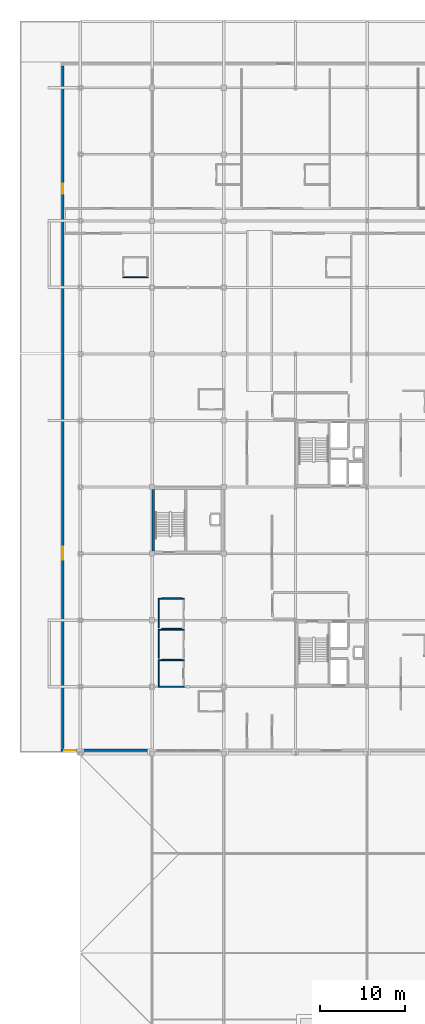
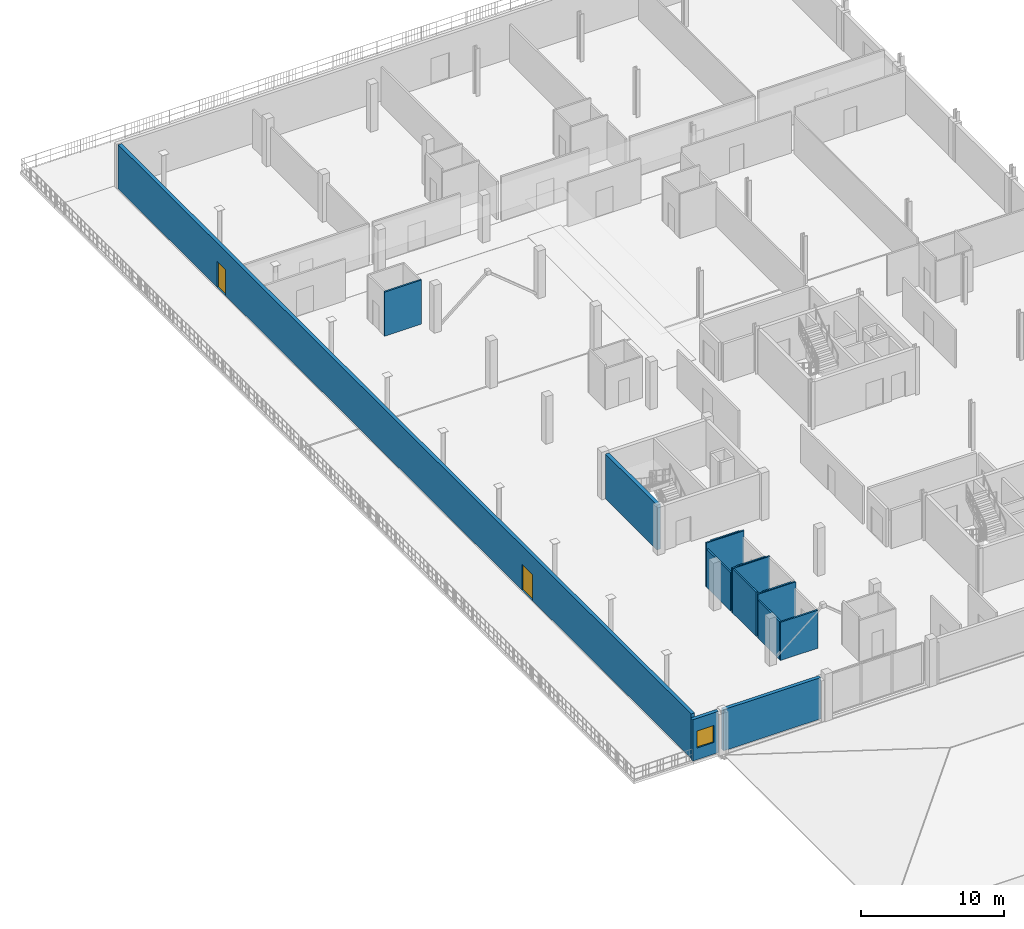
# One storey, part 14 of 25: 15 walls, 2 doors, 1 window, 3 openings.
"""IFC4 building model written with IfcOpenShell, lengths in metres."""

import ifcopenshell
import ifcopenshell.guid

model = None  # the IFC model being written
_history = None  # IfcOwnerHistory: only IFC2X3 demands one
_inside = {}  # id of a spatial element -> (the spatial element, [elements in it])
_under = {}  # id of a project, library or spatial element -> (it, [spatial elements below it])
_declared = {}  # id of a project -> (the project, [libraries it declares])
_typed = {}  # id of a type object -> (the type object, [elements of that type])
_made_of = {}  # id of a material, layer set ... -> (it, [elements and type objects made of it])


def new_model(schema):
    """Start an empty IFC model of exactly this schema.

    Asked for "IFC4X3", IfcOpenShell would pick the latest addendum, in which some entities
    have other attributes; the version numbers below select the first issue.
    IFC2X3 requires an IfcOwnerHistory on every rooted entity: one is made here for all.
    """
    global model, _history
    if schema == "IFC4X3":
        model = ifcopenshell.file(schema_version=(4, 3, 0, 0))
    else:
        model = ifcopenshell.file(schema=schema)
    _inside.clear()
    _under.clear()
    _declared.clear()
    _typed.clear()
    _made_of.clear()
    _history = None
    if model.schema == "IFC2X3":
        org = make("IfcOrganization", Name="unknown")
        user = make(
            "IfcPersonAndOrganization",
            ThePerson=make("IfcPerson", FamilyName="unknown"),
            TheOrganization=org,
        )
        app = make(
            "IfcApplication",
            ApplicationDeveloper=org,
            Version="unknown",
            ApplicationFullName="unknown",
            ApplicationIdentifier="unknown",
        )
        _history = make(
            "IfcOwnerHistory",
            OwningUser=user,
            OwningApplication=app,
            ChangeAction="ADDED",
            CreationDate=0,
        )
    return model


def make(cls, **values):
    """One entity of the class cls with the attributes given. An attribute that is None is left unset."""
    return model.create_entity(
        cls, **{name: value for name, value in values.items() if value is not None}
    )


def rooted(cls, **values):
    """An entity with a GlobalId (a new one), such as an element, a storey or a relation."""
    return make(cls, GlobalId=ifcopenshell.guid.new(), OwnerHistory=_history, **values)


def si_unit(unit_type, name, prefix=None):
    """IfcSIUnit, for example si_unit("LENGTHUNIT", "METRE", prefix="MILLI")."""
    return make("IfcSIUnit", UnitType=unit_type, Prefix=prefix, Name=name)


def assignment(units):
    """IfcUnitAssignment: the units of a project."""
    return None if units is None else make("IfcUnitAssignment", Units=units)


def point(xyz):
    """IfcCartesianPoint."""
    return None if xyz is None else make("IfcCartesianPoint", Coordinates=xyz)


def direction(xyz):
    """IfcDirection."""
    return None if xyz is None else make("IfcDirection", DirectionRatios=xyz)


def frame(location, z_axis=None, x_axis=None):
    """IfcAxis2Placement3D, a coordinate frame: its origin and axes. An axis left out is left unset."""
    return make(
        "IfcAxis2Placement3D",
        Location=point(location),
        Axis=direction(z_axis),
        RefDirection=direction(x_axis),
    )


def frame_2d(location, x_axis=None):
    """IfcAxis2Placement2D, a coordinate frame in the plane: its origin and x axis."""
    return make(
        "IfcAxis2Placement2D", Location=point(location), RefDirection=direction(x_axis)
    )


def origin():
    """The frame at (0, 0, 0) with its axes left unset."""
    return frame((0.0, 0.0, 0.0))


def place(relative_to, where):
    """IfcLocalPlacement: puts the frame where relative to a parent placement (None: the world)."""
    return make(
        "IfcLocalPlacement", PlacementRelTo=relative_to, RelativePlacement=where
    )


def context(
    kind, dimensions, precision=None, world=None, true_north=None, identifier=None
):
    """IfcGeometricRepresentationContext, for example the 3D "Model" context."""
    return make(
        "IfcGeometricRepresentationContext",
        ContextIdentifier=identifier,
        ContextType=kind,
        CoordinateSpaceDimension=dimensions,
        Precision=precision,
        WorldCoordinateSystem=world,
        TrueNorth=true_north,
    )


def subcontext(parent, identifier, kind, view, scale=None):
    """IfcGeometricRepresentationSubContext, for example "Body" below "Model"."""
    return make(
        "IfcGeometricRepresentationSubContext",
        ContextIdentifier=identifier,
        ContextType=kind,
        ParentContext=parent,
        TargetScale=scale,
        TargetView=view,
    )


def project(units=None, contexts=None):
    """IfcProject with its units and contexts."""
    return rooted(
        "IfcProject",
        Name="project",
        RepresentationContexts=contexts,
        UnitsInContext=assignment(units),
    )


def spatial(cls, under=None, at=None, **own):
    """A site, building, storey or space (cls), placed at a placement, below another one or the project."""
    s = rooted(cls, ObjectPlacement=at, **own)
    if under is not None:
        _under.setdefault(under.id(), (under, []))[1].append(s)
    return s


def profile(cls, at=None, kind="AREA", **sizes):
    """A parametric profile (cls). Its sizes go by their IFC names, for example OverallWidth=200.0."""
    return make(cls, ProfileType=kind, Position=at, **sizes)


def rectangle(**sizes):
    """IfcRectangleProfileDef."""
    return profile("IfcRectangleProfileDef", **sizes)


def extrude(swept, where, along, depth):
    """IfcExtrudedAreaSolid: the profile swept, set in the frame where, extruded along a direction by depth."""
    return make(
        "IfcExtrudedAreaSolid",
        SweptArea=swept,
        Position=where,
        ExtrudedDirection=direction(along),
        Depth=depth,
    )


def shape(context_of_items, identifier, shape_type, items):
    """IfcShapeRepresentation: the items that make up one representation, for example the "Body"."""
    return make(
        "IfcShapeRepresentation",
        ContextOfItems=context_of_items,
        RepresentationIdentifier=identifier,
        RepresentationType=shape_type,
        Items=items,
    )


def material(Name=None, Category=None):
    """IfcMaterial."""
    return make("IfcMaterial", Name=Name, Category=Category)


def layer(
    of_material, thickness, ventilated=None, Name=None, Category=None, Priority=None
):
    """IfcMaterialLayer: one layer of a wall or slab, of a material (None: an air gap)."""
    return make(
        "IfcMaterialLayer",
        Material=of_material,
        LayerThickness=thickness,
        IsVentilated=ventilated,
        Name=Name,
        Category=Category,
        Priority=Priority,
    )


def layer_set(layers, Name=None):
    """IfcMaterialLayerSet."""
    return make("IfcMaterialLayerSet", MaterialLayers=layers, LayerSetName=Name)


def made_of(thing, what):
    """Note that an element or type object is made of a material, layer set ...; save() writes the relation."""
    if what is not None:
        _made_of.setdefault(what.id(), (what, []))[1].append(thing)
    return thing


def type_object(cls, material=None, **own):
    """A type object (cls), such as IfcWallType, which elements share."""
    return made_of(rooted(cls, **own), material)


def element(
    cls,
    number,
    at=None,
    inside=None,
    cuts=None,
    type_object=None,
    material=None,
    context=None,
    identifier="Body",
    shape_type=None,
    held_by="IfcProductDefinitionShape",
    body=None,
    shapes=None,
    **own,
):
    """One element of the class cls, such as IfcWall. Its Tag is "e" and its number.

    at: its placement. inside: the storey or other place that contains it. cuts: it is an
    opening in that element (IfcRelVoidsElement). A single representation is given by context,
    identifier, shape_type and body (its items); several are given by shapes. held_by: the class
    of the entity that holds the representations. save() writes the other relations.
    """
    e = rooted(cls, Tag="e%d" % number, ObjectPlacement=at, **own)
    if body is not None:
        shapes = [shape(context, identifier, shape_type, body)]
    if shapes is not None:
        e.Representation = make(held_by, Representations=shapes)
    if inside is not None:
        _inside.setdefault(inside.id(), (inside, []))[1].append(e)
    if cuts is not None:
        rooted(
            "IfcRelVoidsElement", RelatingBuildingElement=cuts, RelatedOpeningElement=e
        )
    if type_object is not None:
        _typed.setdefault(type_object.id(), (type_object, []))[1].append(e)
    return made_of(e, material)


def fill(opening, filler):
    """IfcRelFillsElement: the door or window that sits in an opening."""
    return rooted(
        "IfcRelFillsElement",
        RelatingOpeningElement=opening,
        RelatedBuildingElement=filler,
    )


def aggregate(whole, parts):
    """IfcRelAggregates: a whole, such as a stair, and the parts it consists of."""
    return rooted("IfcRelAggregates", RelatingObject=whole, RelatedObjects=parts)


def save(model, path):
    """Write the relations noted so far, then the file.

    IfcRelAggregates (storeys below a building ...), IfcRelContainedInSpatialStructure (elements
    in a storey), IfcRelDefinesByType, IfcRelAssociatesMaterial and IfcRelDeclares: one each for
    every whole, place, type object, material and project.
    """
    for whole, parts in _under.values():
        aggregate(whole, parts)
    for where, things in _inside.values():
        rooted(
            "IfcRelContainedInSpatialStructure",
            RelatedElements=things,
            RelatingStructure=where,
        )
    for kind, things in _typed.values():
        rooted("IfcRelDefinesByType", RelatedObjects=things, RelatingType=kind)
    for what, things in _made_of.values():
        rooted("IfcRelAssociatesMaterial", RelatedObjects=things, RelatingMaterial=what)
    for by, libraries in _declared.values():
        rooted("IfcRelDeclares", RelatingContext=by, RelatedDefinitions=libraries)
    model.write(path)


model = new_model("IFC4")

# Units and contexts
model_context = context("Model", 3, precision=1e-05, world=origin(), true_north=direction((0.0, 1.0)))
body_context = subcontext(model_context, "Body", "Model", "MODEL_VIEW")
ifc_project = project(units=[si_unit("LENGTHUNIT", "METRE"), si_unit("AREAUNIT", "SQUARE_METRE"), si_unit("VOLUMEUNIT", "CUBIC_METRE"), si_unit("PLANEANGLEUNIT", "RADIAN"), si_unit("MASSUNIT", "GRAM", prefix="KILO")], contexts=[model_context])

# Site, building, storey
site_placement = place(None, origin())
site = spatial("IfcSite", under=ifc_project, at=site_placement, CompositionType="ELEMENT")
building_placement = place(site_placement, origin())
building = spatial("IfcBuilding", under=site, at=building_placement, Name="Nabrawat Pavilion Hospital", CompositionType="ELEMENT")
storey_placement = place(building_placement, frame((0.0, 0.0, 22.949951171875)))
storey = spatial("IfcBuildingStorey", under=building, at=storey_placement, Name="L05", CompositionType="ELEMENT", Elevation=22.949951171875)

# Walls
ifc_material_1 = material(Name="Cement Board on Steel Stud", Category="steel")
ifc_layer_1 = layer(ifc_material_1, 0.1298828125, Name="Cement Board on Steel Stud")
ifc_layer_set_1 = layer_set([ifc_layer_1], Name="Cement Board on Steel Stud")
wall_type_1 = type_object("IfcWallType", Name="En-Suite Moisture-Resistant Partition 130", PredefinedType="PARTITIONING", material=ifc_layer_set_1)
wall_1_placement = place(storey_placement, frame((151.93505859375, 46.800048828125, 0.0), z_axis=(0.0, 0.0, 1.0), x_axis=(1.0, 0.0, 0.0)))
element("IfcWall", 1, at=wall_1_placement, inside=storey, type_object=wall_type_1, Name="L05 L05 Accessible WC South Partition", PredefinedType="PARTITIONING", context=body_context, shape_type="SweptSolid", body=[
    extrude(rectangle(XDim=3.030029296875, YDim=0.1298828125, at=frame_2d((1.51513671875, 0.0))), origin(), (0.0, 0.0, 1.0), 3.25),
])
wall_2_placement = place(storey_placement, frame((151.93505859375, 49.89990234375, 0.0), z_axis=(0.0, 0.0, 1.0), x_axis=(1.0, 0.0, 0.0)))
element("IfcWall", 2, at=wall_2_placement, inside=storey, type_object=wall_type_1, Name="L05 L05 Accessible WC North Partition", PredefinedType="PARTITIONING", context=body_context, shape_type="SweptSolid", body=[
    extrude(rectangle(XDim=3.030029296875, YDim=0.1298828125, at=frame_2d((1.51513671875, 0.0))), origin(), (0.0, 0.0, 1.0), 3.77001953125),
])
wall_3_placement = place(storey_placement, frame((152.0, 46.864990234375, 0.0), z_axis=(0.0, 0.0, 1.0), x_axis=(0.0, 1.0, 0.0)))
element("IfcWall", 3, at=wall_3_placement, inside=storey, type_object=wall_type_1, Name="L05 L05 Accessible WC West Partition", PredefinedType="PARTITIONING", context=body_context, shape_type="SweptSolid", body=[
    extrude(rectangle(XDim=2.969970703125, YDim=0.1298828125, at=frame_2d((1.48486328125, 0.0))), origin(), (0.0, 0.0, 1.0), 3.25),
])
wall_4_placement = place(storey_placement, frame((152.35009765625, 49.97998046875, 0.0), z_axis=(0.0, 0.0, 1.0), x_axis=(1.0, 0.0, 0.0)))
element("IfcWall", 4, at=wall_4_placement, inside=storey, type_object=wall_type_1, Name="L05 L05 Accessible WC Dividing Partition", PredefinedType="PARTITIONING", context=body_context, shape_type="SweptSolid", body=[
    extrude(rectangle(XDim=2.329833984375, YDim=0.1298828125, at=frame_2d((1.1650390625, 0.0))), origin(), (0.0, 0.0, 1.0), 3.77001953125),
])
wall_5_placement = place(storey_placement, frame((151.93505859375, 53.5, 0.0), z_axis=(0.0, 0.0, 1.0), x_axis=(1.0, 0.0, 0.0)))
element("IfcWall", 5, at=wall_5_placement, inside=storey, type_object=wall_type_1, Name="L05 L05 Visitor Female Washroom North Partition", PredefinedType="PARTITIONING", context=body_context, shape_type="SweptSolid", body=[
    extrude(rectangle(XDim=3.030029296875, YDim=0.1298828125, at=frame_2d((1.51513671875, 0.0))), origin(), (0.0, 0.0, 1.0), 3.77001953125),
])
wall_6_placement = place(storey_placement, frame((152.0, 50.125, 0.0), z_axis=(0.0, 0.0, 1.0), x_axis=(0.0, 1.0, 0.0)))
element("IfcWall", 6, at=wall_6_placement, inside=storey, type_object=wall_type_1, Name="L05 L05 Visitor Female Washroom West Partition", PredefinedType="PARTITIONING", context=body_context, shape_type="SweptSolid", body=[
    extrude(rectangle(XDim=3.31005859375, YDim=0.1298828125, at=frame_2d((1.655029296875, 0.0))), origin(), (0.0, 0.0, 1.0), 3.77001953125),
])
wall_7_placement = place(storey_placement, frame((152.35009765625, 53.580078125, 0.0), z_axis=(0.0, 0.0, 1.0), x_axis=(1.0, 0.0, 0.0)))
element("IfcWall", 7, at=wall_7_placement, inside=storey, type_object=wall_type_1, Name="L05 L05 Visitor Female Washroom Dividing Partition", PredefinedType="PARTITIONING", context=body_context, shape_type="SweptSolid", body=[
    extrude(rectangle(XDim=2.329833984375, YDim=0.1298828125, at=frame_2d((1.1650390625, 0.0))), origin(), (0.0, 0.0, 1.0), 3.77001953125),
])
wall_8_placement = place(storey_placement, frame((151.93505859375, 57.10009765625, 0.0), z_axis=(0.0, 0.0, 1.0), x_axis=(1.0, 0.0, 0.0)))
element("IfcWall", 8, at=wall_8_placement, inside=storey, type_object=wall_type_1, Name="L05 L05 Visitor Male Washroom North Partition", PredefinedType="PARTITIONING", context=body_context, shape_type="SweptSolid", body=[
    extrude(rectangle(XDim=3.030029296875, YDim=0.1298828125, at=frame_2d((1.51513671875, 0.0))), origin(), (0.0, 0.0, 1.0), 3.77001953125),
])
wall_9_placement = place(storey_placement, frame((152.0, 53.72509765625, 0.0), z_axis=(0.0, 0.0, 1.0), x_axis=(0.0, 1.0, 0.0)))
element("IfcWall", 9, at=wall_9_placement, inside=storey, type_object=wall_type_1, Name="L05 L05 Visitor Male Washroom West Partition", PredefinedType="PARTITIONING", context=body_context, shape_type="SweptSolid", body=[
    extrude(rectangle(XDim=3.309814453125, YDim=0.1298828125, at=frame_2d((1.65478515625, 0.0))), origin(), (0.0, 0.0, 1.0), 3.25),
])
wall_10_placement = place(storey_placement, frame((152.35009765625, 57.179931640625, 0.0), z_axis=(0.0, 0.0, 1.0), x_axis=(1.0, 0.0, 0.0)))
element("IfcWall", 10, at=wall_10_placement, inside=storey, type_object=wall_type_1, Name="L05 L05 Visitor Male Washroom Dividing Partition", PredefinedType="PARTITIONING", context=body_context, shape_type="SweptSolid", body=[
    extrude(rectangle(XDim=2.329833984375, YDim=0.1298828125, at=frame_2d((1.1650390625, 0.0))), origin(), (0.0, 0.0, 1.0), 3.77001953125),
])
wall_11_placement = place(storey_placement, frame((147.7451171875, 94.784912109375, 0.0), z_axis=(0.0, 0.0, 1.0), x_axis=(1.0, 0.0, 0.0)))
element("IfcWall", 11, at=wall_11_placement, inside=storey, type_object=wall_type_1, Name="L05 En-Suite Bathroom WRD-ONC-01 South Partition", PredefinedType="PARTITIONING", context=body_context, shape_type="SweptSolid", body=[
    extrude(rectangle(XDim=2.97998046875, YDim=0.1298828125, at=frame_2d((1.489990234375, 0.0))), origin(), (0.0, 0.0, 1.0), 3.77001953125),
])

# Wall, openings, doors
ifc_material_2 = material(Name="Precast concrete C40/50", Category="concrete")
ifc_layer_2 = layer(ifc_material_2, 0.280029296875, Name="Precast concrete C40/50")
ifc_layer_set_2 = layer_set([ifc_layer_2], Name="Precast concrete C40/50")
wall_type_2 = type_object("IfcWallType", Name="Insulated Precast Facade Wall 280", PredefinedType="SOLIDWALL", material=ifc_layer_set_2)
wall_12_placement = place(storey_placement, frame((140.739990234375, 39.56005859375, 0.0), z_axis=(0.0, 0.0, 1.0), x_axis=(0.0, 1.0, 0.0)))
wall_12 = element("IfcWall", 12, at=wall_12_placement, inside=storey, type_object=wall_type_2, Name="L05 Insulated Precast Facade Wall 280 382", PredefinedType="SOLIDWALL", context=body_context, shape_type="SweptSolid", body=[
    extrude(rectangle(XDim=80.0, YDim=0.280029296875, at=frame_2d((40.0, 0.0))), origin(), (0.0, 0.0, 1.0), 3.77001953125),
])
opening_1_placement = place(wall_12_placement, frame((22.14990234375, 0.0, 0.0)))
opening_1 = element("IfcOpeningElement", 13, at=opening_1_placement, cuts=wall_12, Name="Opening ED-TER-150", PredefinedType="OPENING", context=body_context, shape_type="SweptSolid", body=[
    extrude(rectangle(XDim=1.5, YDim=2.199951171875, at=frame_2d((0.75, 1.10009765625))), frame((0.0, 0.14990234375, 0.0), z_axis=(0.0, -1.0, 0.0), x_axis=(1.0, 0.0, 0.0)), (0.0, 0.0, 1.0), 0.300048828125),
])
opening_2_placement = place(wall_12_placement, frame((65.0, 0.0, 0.0)))
opening_2 = element("IfcOpeningElement", 14, at=opening_2_placement, cuts=wall_12, Name="Opening ED-TER-120", PredefinedType="OPENING", context=body_context, shape_type="SweptSolid", body=[
    extrude(rectangle(XDim=1.199951171875, YDim=2.199951171875, at=frame_2d((0.60009765625, 1.10009765625))), frame((0.0, 0.14990234375, 0.0), z_axis=(0.0, -1.0, 0.0), x_axis=(1.0, 0.0, 0.0)), (0.0, 0.0, 1.0), 0.300048828125),
])
ifc_material_3 = material(Name="Powder-Coated Galvanised Steel and Safety Glass", Category="steel")
door_type_1 = type_object("IfcDoorType", Name="Clinical Recovery Terrace Double Door 1500x2200", OperationType="NOTDEFINED", PredefinedType="DOOR", material=ifc_material_3)
door_1_placement = place(opening_1_placement, origin())
door_1 = element("IfcDoor", 15, at=door_1_placement, inside=storey, type_object=door_type_1, Name="L05 Clinical Recovery Terrace Door T_L05_WARD_WEST_S", OperationType="DOUBLE_DOOR_SINGLE_SWING", OverallHeight=2.199951171875, OverallWidth=1.5, PredefinedType="DOOR", context=body_context, shape_type="SweptSolid", body=[
    extrude(rectangle(XDim=1.5, YDim=2.199951171875, at=frame_2d((0.75, 1.10009765625))), frame((0.0, 0.02490234375, 0.0), z_axis=(0.0, -1.0, 0.0), x_axis=(1.0, 0.0, 0.0)), (0.0, 0.0, 1.0), 0.050048828125),
])
fill(opening_1, door_1)
door_type_2 = type_object("IfcDoorType", Name="Ward Balcony Single Glazed Door 1200x2200", OperationType="NOTDEFINED", PredefinedType="DOOR", material=ifc_material_3)
door_2_placement = place(opening_2_placement, origin())
door_2 = element("IfcDoor", 16, at=door_2_placement, inside=storey, type_object=door_type_2, Name="L05 Clinical Recovery Terrace Door T_L05_WARD_WEST_N", OperationType="SINGLE_SWING_LEFT", OverallHeight=2.199951171875, OverallWidth=1.199951171875, PredefinedType="DOOR", context=body_context, shape_type="SweptSolid", body=[
    extrude(rectangle(XDim=1.199951171875, YDim=2.199951171875, at=frame_2d((0.60009765625, 1.10009765625))), frame((0.0, 0.02490234375, 0.0), z_axis=(0.0, -1.0, 0.0), x_axis=(1.0, 0.0, 0.0)), (0.0, 0.0, 1.0), 0.050048828125),
])
fill(opening_2, door_2)

# Wall, opening, window
wall_13_placement = place(storey_placement, frame((140.52001953125, 39.340087890625, 0.0), z_axis=(0.0, 0.0, 1.0), x_axis=(1.0, 0.0, 0.0)))
wall_13 = element("IfcWall", 17, at=wall_13_placement, inside=storey, type_object=wall_type_2, Name="L05 Insulated Precast Facade Wall 280 383", PredefinedType="SOLIDWALL", context=body_context, shape_type="SweptSolid", body=[
    extrude(rectangle(XDim=2.068115234375, YDim=0.280029296875, at=frame_2d((1.0341796875, 0.0))), origin(), (0.0, 0.0, 1.0), 3.52001953125),
])
opening_3_placement = place(wall_13_placement, frame((0.35888671875, 0.0, 1.0)))
opening_3 = element("IfcOpeningElement", 18, at=opening_3_placement, cuts=wall_13, Name="Opening WN-10", PredefinedType="OPENING", context=body_context, shape_type="SweptSolid", body=[
    extrude(rectangle(XDim=1.35009765625, YDim=1.449951171875, at=frame_2d((0.675048828125, 0.72509765625))), frame((0.0, 0.14990234375, 0.0), z_axis=(0.0, -1.0, 0.0), x_axis=(1.0, 0.0, 0.0)), (0.0, 0.0, 1.0), 0.300048828125),
])
ifc_material_4 = material(Name="Thermally Broken Aluminium and Solar Glass", Category="aluminium")
window_type = type_object("IfcWindowType", Name="Diagnostic Reporting Room Window 1350x1450", PartitioningType="SINGLE_PANEL", PredefinedType="WINDOW", material=ifc_material_4)
window_placement = place(opening_3_placement, origin())
window = element("IfcWindow", 19, at=window_placement, inside=storey, type_object=window_type, Name="L05 Diagnostic Reporting Room Window 1350x1450 138", OverallHeight=1.449951171875, OverallWidth=1.35009765625, PartitioningType="SINGLE_PANEL", PredefinedType="WINDOW", context=body_context, shape_type="SweptSolid", body=[
    extrude(rectangle(XDim=1.35009765625, YDim=1.449951171875, at=frame_2d((0.675048828125, 0.72509765625))), frame((0.0, 0.030029296875, 0.0), z_axis=(0.0, -1.0, 0.0), x_axis=(1.0, 0.0, 0.0)), (0.0, 0.0, 1.0), 0.06005859375),
])
fill(opening_3, window)

# Walls
wall_14_placement = place(storey_placement, frame((143.011962890625, 39.340087890625, 0.0), z_axis=(0.0, 0.0, 1.0), x_axis=(1.0, 0.0, 0.0)))
element("IfcWall", 20, at=wall_14_placement, inside=storey, type_object=wall_type_2, Name="L05 Insulated Precast Facade Wall 280 384", PredefinedType="SOLIDWALL", context=body_context, shape_type="SweptSolid", body=[
    extrude(rectangle(XDim=7.838134765625, YDim=0.280029296875, at=frame_2d((3.9189453125, 0.0))), origin(), (0.0, 0.0, 1.0), 3.510009765625),
])
ifc_material_5 = material(Name="Concrete C40/50", Category="concrete")
ifc_layer_3 = layer(ifc_material_5, 0.300048828125, Name="Concrete C40/50")
ifc_layer_set_3 = layer_set([ifc_layer_3], Name="Concrete C40/50")
wall_type_3 = type_object("IfcWallType", Name="Reinforced Concrete Core Shear Wall 300", PredefinedType="SHEAR", material=ifc_layer_set_3)
wall_15_placement = place(storey_placement, frame((151.35009765625, 62.699951171875, 0.0), z_axis=(0.0, 0.0, 1.0), x_axis=(0.0, 1.0, 0.0)))
element("IfcWall", 21, at=wall_15_placement, inside=storey, type_object=wall_type_3, Name="L05 CORE-9 West Core Shear Wall", PredefinedType="SHEAR", context=body_context, shape_type="SweptSolid", body=[
    extrude(rectangle(XDim=7.199951171875, YDim=0.300048828125, at=frame_2d((3.60009765625, 0.0))), origin(), (0.0, 0.0, 1.0), 3.820068359375),
])

save(model, "model.ifc")
